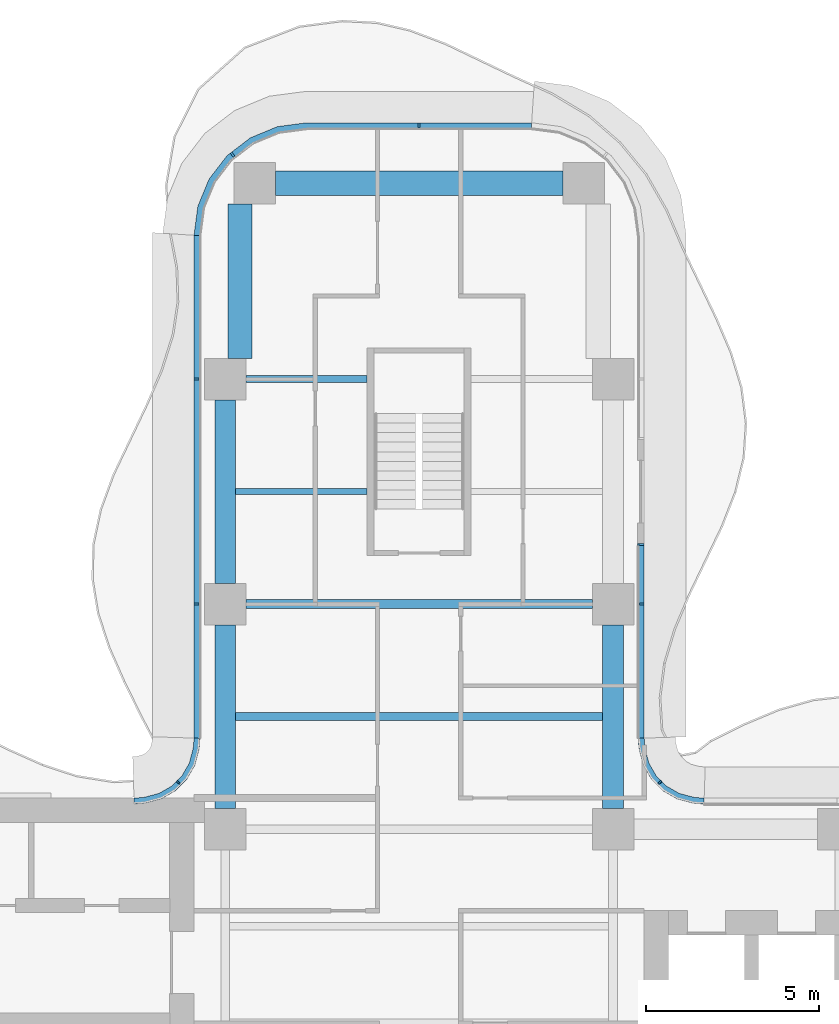
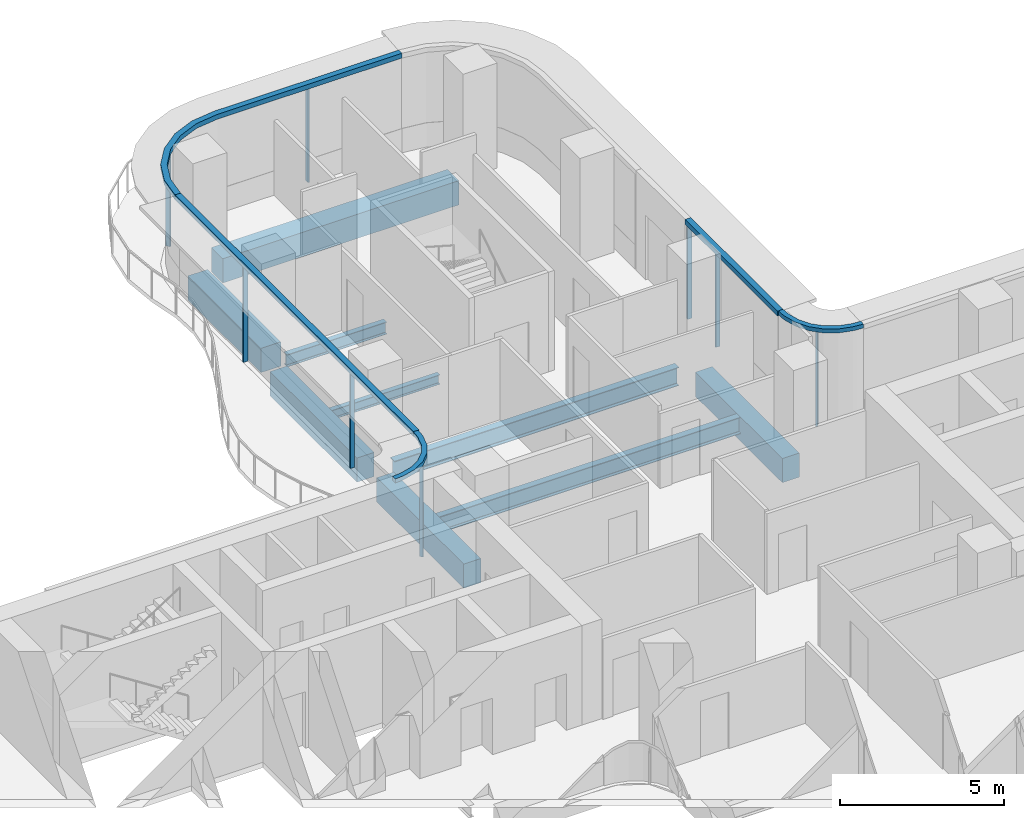
# One storey, part 7 of 17: 13 members, 9 beams, 5 elements without a shape of their own.
"""IFC4 building model written with IfcOpenShell, lengths in metres."""

from ifc_helpers import new_model, si_unit, direction, frame, origin, origin_2d, place, context, subcontext, project, spatial, polyline, rectangle, i_section, outline, extrude, source, transform, mapped, material, layer, layer_set, material_profile, profile_set, type_object, element, aggregate, save


model = new_model("IFC4")

# Units and contexts
model_context = context("Model", 3, precision=1e-05, world=origin(), true_north=direction((0.0, 1.0)))
body_context = subcontext(model_context, "Body", "Model", "MODEL_VIEW")
ifc_project = project(units=[si_unit("LENGTHUNIT", "METRE"), si_unit("AREAUNIT", "SQUARE_METRE"), si_unit("VOLUMEUNIT", "CUBIC_METRE"), si_unit("PLANEANGLEUNIT", "RADIAN"), si_unit("MASSUNIT", "GRAM", prefix="KILO")], contexts=[model_context])

# Site, building, storey
site_placement = place(None, origin())
site = spatial("IfcSite", under=ifc_project, at=site_placement, CompositionType="ELEMENT")
building_placement = place(site_placement, origin())
building = spatial("IfcBuilding", under=site, at=building_placement, Name="Trellis Farm Tower", CompositionType="ELEMENT")
storey_placement = place(building_placement, frame((0.0, 0.0, 173.699951171875)))
storey = spatial("IfcBuildingStorey", under=building, at=storey_placement, Name="L37", CompositionType="ELEMENT", Elevation=173.699951171875)

# Beams
ifc_material_1 = material(Name="Steel S355", Category="steel")
ifc_material_profile_1 = material_profile(ifc_material_1, i_section(OverallWidth=0.1904296875, OverallDepth=0.45703125, WebThickness=0.009033203125, FlangeThickness=0.014404296875, FilletRadius=0.01025390625, at=origin_2d()), Name="UB 457x191x74")
ifc_profile_set_1 = profile_set([ifc_material_profile_1], Name="Steel S355")
beam_type_1 = type_object("IfcBeamType", Name="UB 457x191x74", PredefinedType="BEAM", material=ifc_profile_set_1)
shared_shape_1 = source(origin(), body_context, "Body", "SweptSolid", [
    extrude(i_section(OverallWidth=0.1904296875, OverallDepth=0.45703125, WebThickness=0.009033203125, FlangeThickness=0.014404296875, FilletRadius=0.01025390625, at=origin_2d()), origin(), (0.0, 0.0, 1.0), 3.5),
])
beam_1_placement = place(storey_placement, frame((-5.0, 18.60009765625, -0.428466796875), z_axis=(1.0, 0.0, 0.0), x_axis=(0.0, 1.0, 0.0)))
element("IfcBeam", 1, at=beam_1_placement, inside=storey, type_object=beam_type_1, Name="Girder", PredefinedType="BEAM", context=body_context, shape_type="MappedRepresentation", body=[
    mapped(shared_shape_1, transform((0.0, 0.0, 0.0))),
])
ifc_material_2 = material(Name="Concrete C60/75", Category="concrete")
ifc_material_profile_2 = material_profile(ifc_material_2, rectangle(XDim=0.60009765625, YDim=0.89990234375, at=origin_2d()), Name="RC spandrel beam 600x900 C60/75")
ifc_profile_set_2 = profile_set([ifc_material_profile_2], Name="Concrete C60/75")
beam_type_2 = type_object("IfcBeamType", Name="RC spandrel beam 600x900 C60/75", PredefinedType="SPANDREL", material=ifc_profile_set_2)
shared_shape_2 = source(origin(), body_context, "Body", "SweptSolid", [
    extrude(rectangle(XDim=0.60009765625, YDim=0.89990234375, at=origin_2d()), origin(), (0.0, 0.0, 1.0), 5.300048828125),
])
for number, where, z_axis, x_axis, name in (
    (2, (-5.60009765625, 6.199951171875, -0.64990234375), (0.0, 1.0, 0.0), (-1.0, 0.0, 0.0), "Girder"),
    (3, (-5.60009765625, 12.699951171875, -0.64990234375), (0.0, 1.0, 0.0), (-1.0, 0.0, 0.0), "Girder"),
    (4, (5.60009765625, 6.199951171875, -0.64990234375), (0.0, 1.0, 0.0), (-1.0, 0.0, 0.0), "Girder"),
):
    element("IfcBeam", number, at=place(storey_placement, frame(where, z_axis=z_axis, x_axis=x_axis)), inside=storey, type_object=beam_type_2, Name=name, PredefinedType="SPANDREL", context=body_context, shape_type="MappedRepresentation", body=[
        mapped(shared_shape_2, transform((0.0, 0.0, 0.0))),
    ])
ifc_material_profile_3 = material_profile(ifc_material_1, i_section(OverallWidth=0.253662109375, OverallDepth=0.68359375, WebThickness=0.012451171875, FlangeThickness=0.021728515625, FilletRadius=0.01513671875, at=origin_2d()), Name="UB 686x254x140")
ifc_profile_set_3 = profile_set([ifc_material_profile_3], Name="Steel S355")
beam_type_3 = type_object("IfcBeamType", Name="UB 686x254x140", PredefinedType="BEAM", material=ifc_profile_set_3)
shared_shape_3 = source(origin(), body_context, "Body", "SweptSolid", [
    extrude(i_section(OverallWidth=0.253662109375, OverallDepth=0.68359375, WebThickness=0.012451171875, FlangeThickness=0.021728515625, FilletRadius=0.01513671875, at=origin_2d()), origin(), (0.0, 0.0, 1.0), 10.0),
])
beam_2_placement = place(storey_placement, frame((-5.0, 12.10009765625, -0.541748046875), z_axis=(1.0, 0.0, 0.0), x_axis=(0.0, 1.0, 0.0)))
element("IfcBeam", 5, at=beam_2_placement, inside=storey, type_object=beam_type_3, Name="Girder", PredefinedType="BEAM", context=body_context, shape_type="MappedRepresentation", body=[
    mapped(shared_shape_3, transform((0.0, 0.0, 0.0))),
])
ifc_material_profile_4 = material_profile(ifc_material_2, rectangle(XDim=0.699951171875, YDim=0.89990234375, at=origin_2d()), Name="RC spandrel beam 700x900 C60/75")
ifc_profile_set_4 = profile_set([ifc_material_profile_4], Name="Concrete C60/75")
beam_type_4 = type_object("IfcBeamType", Name="RC spandrel beam 700x900 C60/75", PredefinedType="SPANDREL", material=ifc_profile_set_4)
shared_shape_4 = source(origin(), body_context, "Body", "SweptSolid", [
    extrude(rectangle(XDim=0.699951171875, YDim=0.89990234375, at=origin_2d()), origin(), (0.0, 0.0, 1.0), 8.2998046875),
])
beam_3_placement = place(storey_placement, frame((-4.14990234375, 24.25, -0.64990234375), z_axis=(1.0, 0.0, 0.0), x_axis=(0.0, 1.0, 0.0)))
element("IfcBeam", 6, at=beam_3_placement, inside=storey, type_object=beam_type_4, Name="Girder", PredefinedType="SPANDREL", context=body_context, shape_type="MappedRepresentation", body=[
    mapped(shared_shape_4, transform((0.0, 0.0, 0.0))),
])
shared_shape_5 = source(origin(), body_context, "Body", "SweptSolid", [
    extrude(rectangle(XDim=0.699951171875, YDim=0.89990234375, at=origin_2d()), origin(), (0.0, 0.0, 1.0), 4.449951171875),
])
beam_4_placement = place(storey_placement, frame((-5.175048828125, 19.199951171875, -0.64990234375), z_axis=(0.0, 1.0, 0.0), x_axis=(-1.0, 0.0, 0.0)))
element("IfcBeam", 7, at=beam_4_placement, inside=storey, type_object=beam_type_4, Name="Girder", PredefinedType="SPANDREL", context=body_context, shape_type="MappedRepresentation", body=[
    mapped(shared_shape_5, transform((0.0, 0.0, 0.0))),
])
ifc_material_profile_5 = material_profile(ifc_material_1, i_section(OverallWidth=0.17138671875, OverallDepth=0.35498046875, WebThickness=0.00732421875, FlangeThickness=0.011474609375, FilletRadius=0.01025390625, at=origin_2d()), Name="UB 356x171x51")
ifc_profile_set_5 = profile_set([ifc_material_profile_5], Name="Steel S355")
beam_type_5 = type_object("IfcBeamType", Name="UB 356x171x51 joist", PredefinedType="JOIST", material=ifc_profile_set_5)
shared_shape_6 = source(origin(), body_context, "Body", "SweptSolid", [
    extrude(i_section(OverallWidth=0.17138671875, OverallDepth=0.35498046875, WebThickness=0.00732421875, FlangeThickness=0.011474609375, FilletRadius=0.01025390625, at=origin_2d()), origin(), (0.0, 0.0, 1.0), 3.800048828125),
])
beam_5_placement = place(storey_placement, frame((-5.300048828125, 15.35009765625, -0.37744140625), z_axis=(1.0, 0.0, 0.0), x_axis=(0.0, 1.0, 0.0)))
element("IfcBeam", 8, at=beam_5_placement, inside=storey, type_object=beam_type_5, Name="Floor beam", PredefinedType="JOIST", context=body_context, shape_type="MappedRepresentation", body=[
    mapped(shared_shape_6, transform((0.0, 0.0, 0.0))),
])
ifc_material_profile_6 = material_profile(ifc_material_1, i_section(OverallWidth=0.22900390625, OverallDepth=0.6123046875, WebThickness=0.011962890625, FlangeThickness=0.01953125, FilletRadius=0.0126953125, at=origin_2d()), Name="UB 610x229x125")
ifc_profile_set_6 = profile_set([ifc_material_profile_6], Name="Steel S355")
beam_type_6 = type_object("IfcBeamType", Name="UB 610x229x125 joist", PredefinedType="JOIST", material=ifc_profile_set_6)
shared_shape_7 = source(origin(), body_context, "Body", "SweptSolid", [
    extrude(i_section(OverallWidth=0.22900390625, OverallDepth=0.6123046875, WebThickness=0.011962890625, FlangeThickness=0.01953125, FilletRadius=0.0126953125, at=origin_2d()), origin(), (0.0, 0.0, 1.0), 10.60009765625),
])
beam_6_placement = place(storey_placement, frame((-5.300048828125, 8.85009765625, -0.506103515625), z_axis=(1.0, 0.0, 0.0), x_axis=(0.0, 1.0, 0.0)))
element("IfcBeam", 9, at=beam_6_placement, inside=storey, type_object=beam_type_6, Name="Floor beam", PredefinedType="JOIST", context=body_context, shape_type="MappedRepresentation", body=[
    mapped(shared_shape_7, transform((0.0, 0.0, 0.0))),
])

# Curtain wall, member
ifc_material_3 = material(Name="Aluminium and glass curtain wall", Category="aluminium")
ifc_layer_1 = layer(ifc_material_3, 0.166015625)
ifc_layer_set_1 = layer_set([ifc_layer_1], Name="WINTER GARDEN CURTAIN WALL CW3")
curtain_wall_type_1 = type_object("IfcCurtainWallType", Name="WINTER GARDEN CURTAIN WALL CW3", PredefinedType="NOTDEFINED", material=ifc_layer_set_1)
placement_1 = place(storey_placement, origin())
curtain_wall_1 = element("IfcCurtainWall", 10, at=placement_1, inside=storey, type_object=curtain_wall_type_1, Name="CW3 003", PredefinedType="NOTDEFINED")
ifc_material_4 = material(Name="Aluminium extrusion 6063-T6", Category="aluminium")
ifc_layer_2 = layer(ifc_material_4, 0.169921875)
ifc_layer_set_2 = layer_set([ifc_layer_2], Name="Aluminium extrusion 6063-T6")
member_type_1 = type_object("IfcMemberType", Name="CW3 TRANSOM 170x150", PredefinedType="USERDEFINED", material=ifc_layer_set_2)
shared_shape_8 = source(origin(), body_context, "Body", "SweptSolid", [
    extrude(outline(polyline([(8.2314453125, 6.5), (8.01953125, 6.513916015625), (7.91552734375, 6.527587890625), (7.508544921875, 6.63671875), (7.144287109375, 6.846923828125), (6.846923828125, 7.144287109375), (6.63671875, 7.508544921875), (6.527587890625, 7.91552734375), (6.513916015625, 8.01953125), (6.5, 8.2314453125), (6.330078125, 8.225830078125), (6.3447265625, 8.0029296875), (6.360595703125, 7.88232421875), (6.478271484375, 7.44287109375), (6.7109375, 7.0400390625), (7.0400390625, 6.7109375), (7.44287109375, 6.478271484375), (7.88232421875, 6.360595703125), (8.0029296875, 6.3447265625), (8.225830078125, 6.330078125), (8.2314453125, 6.5)])), origin(), (0.0, 0.0, 1.0), 0.14990234375),
])
placement_2 = place(storey_placement, frame((0.0, 0.0, 3.550048828125)))
member_1 = element("IfcMember", 11, at=placement_2, type_object=member_type_1, Name="TR3 003", ObjectType="TRANSOM", PredefinedType="USERDEFINED", context=body_context, shape_type="MappedRepresentation", body=[
    mapped(shared_shape_8, transform((0.0, 0.0, 0.0))),
])

curtain_wall_2 = element("IfcCurtainWall", 12, at=placement_1, inside=storey, type_object=curtain_wall_type_1, Name="CW3 004", PredefinedType="NOTDEFINED")
shared_shape_9 = source(origin(), body_context, "Body", "SweptSolid", [
    extrude(outline(polyline([(-6.5, 8.2314453125), (-6.513916015625, 8.01953125), (-6.527587890625, 7.91552734375), (-6.63671875, 7.508544921875), (-6.846923828125, 7.144287109375), (-7.144287109375, 6.846923828125), (-7.508544921875, 6.63671875), (-7.91552734375, 6.527587890625), (-8.01953125, 6.513916015625), (-8.2314453125, 6.5), (-8.225830078125, 6.330078125), (-8.0029296875, 6.3447265625), (-7.88232421875, 6.360595703125), (-7.44287109375, 6.478271484375), (-7.0400390625, 6.7109375), (-6.7109375, 7.0400390625), (-6.478271484375, 7.44287109375), (-6.360595703125, 7.88232421875), (-6.3447265625, 8.0029296875), (-6.330078125, 8.225830078125), (-6.5, 8.2314453125)])), origin(), (0.0, 0.0, 1.0), 0.14990234375),
])
member_2 = element("IfcMember", 13, at=placement_2, type_object=member_type_1, Name="TR3 004", ObjectType="TRANSOM", PredefinedType="USERDEFINED", context=body_context, shape_type="MappedRepresentation", body=[
    mapped(shared_shape_9, transform((0.0, 0.0, 0.0))),
])

ifc_layer_3 = layer(ifc_material_3, 0.18994140625)
ifc_layer_set_3 = layer_set([ifc_layer_3], Name="RIBBON CURTAIN WALL CW1")
curtain_wall_type_2 = type_object("IfcCurtainWallType", Name="RIBBON CURTAIN WALL CW1", PredefinedType="NOTDEFINED", material=ifc_layer_set_3)
curtain_wall_3 = element("IfcCurtainWall", 14, at=placement_1, inside=storey, type_object=curtain_wall_type_2, Name="CW1 011", PredefinedType="NOTDEFINED")
ifc_layer_4 = layer(ifc_material_4, 0.199951171875)
ifc_layer_set_4 = layer_set([ifc_layer_4], Name="Aluminium extrusion 6063-T6")
member_type_2 = type_object("IfcMemberType", Name="CW1 TRANSOM 200x180", PredefinedType="USERDEFINED", material=ifc_layer_set_4)
shared_shape_10 = source(origin(), body_context, "Body", "SweptSolid", [
    extrude(outline(polyline([(-6.5, 22.75), (-6.5, 8.2314453125), (-6.300048828125, 8.224853515625), (-6.300048828125, 22.73681640625), (-6.5, 22.75)])), origin(), (0.0, 0.0, 1.0), 0.179931640625),
])
placement_3 = place(storey_placement, frame((0.0, 0.0, 3.52001953125)))
member_3 = element("IfcMember", 15, at=placement_3, type_object=member_type_2, Name="TR1 011", ObjectType="TRANSOM", PredefinedType="USERDEFINED", context=body_context, shape_type="MappedRepresentation", body=[
    mapped(shared_shape_10, transform((0.0, 0.0, 0.0))),
])

curtain_wall_4 = element("IfcCurtainWall", 16, at=placement_1, inside=storey, type_object=curtain_wall_type_2, Name="CW1 010", PredefinedType="NOTDEFINED")
shared_shape_11 = source(origin(), body_context, "Body", "SweptSolid", [
    extrude(outline(polyline([(3.25, 26.0), (-3.25, 26.0), (-4.091064453125, 25.88916015625), (-4.875, 25.564697265625), (-5.548095703125, 25.048095703125), (-6.064697265625, 24.375), (-6.38916015625, 23.591064453125), (-6.5, 22.75), (-6.300048828125, 22.73681640625), (-6.1943359375, 23.5390625), (-5.889892578125, 24.274169921875), (-5.405517578125, 24.905517578125), (-4.774169921875, 25.389892578125), (-4.0390625, 25.6943359375), (-3.23681640625, 25.800048828125), (3.23681640625, 25.800048828125), (3.25, 26.0)])), origin(), (0.0, 0.0, 1.0), 0.179931640625),
])
member_4 = element("IfcMember", 17, at=placement_3, type_object=member_type_2, Name="TR1 010", ObjectType="TRANSOM", PredefinedType="USERDEFINED", context=body_context, shape_type="MappedRepresentation", body=[
    mapped(shared_shape_11, transform((0.0, 0.0, 0.0))),
])

# Curtain wall, members
curtain_wall_5 = element("IfcCurtainWall", 18, at=placement_1, inside=storey, type_object=curtain_wall_type_2, Name="CW1 008", PredefinedType="NOTDEFINED")
ifc_material_profile_7 = material_profile(ifc_material_4, rectangle(XDim=0.06005859375, YDim=0.14990234375, at=origin_2d()), Name="MULLION 60x150")
ifc_profile_set_7 = profile_set([ifc_material_profile_7], Name="Aluminium extrusion 6063-T6")
member_type_3 = type_object("IfcMemberType", Name="CW1 MULLION 60x150", PredefinedType="MULLION", material=ifc_profile_set_7)
shared_shape_12 = source(origin(), body_context, "Body", "SweptSolid", [
    extrude(rectangle(XDim=0.06005859375, YDim=0.14990234375, at=origin_2d()), origin(), (0.0, 0.0, 1.0), 3.52001953125),
])
member_5_placement = place(storey_placement, frame((6.425048828125, 12.10009765625, 0.0), z_axis=(0.0, 0.0, 1.0), x_axis=(0.0, 1.0, 0.0)))
member_5 = element("IfcMember", 19, at=member_5_placement, type_object=member_type_3, Name="MU1 008-01", PredefinedType="MULLION", context=body_context, shape_type="MappedRepresentation", body=[
    mapped(shared_shape_12, transform((0.0, 0.0, 0.0))),
])
member_6_placement = place(storey_placement, frame((6.425048828125, 13.820068359375, 0.0), z_axis=(0.0, 0.0, 1.0), x_axis=(0.0, 1.0, 0.0)))
member_6 = element("IfcMember", 20, at=member_6_placement, type_object=member_type_3, Name="MU1 008-02", PredefinedType="MULLION", context=body_context, shape_type="MappedRepresentation", body=[
    mapped(shared_shape_12, transform((0.0, 0.0, 0.0))),
])

# Member
member_7_placement = place(storey_placement, frame((0.0, 25.925048828125, 0.0), z_axis=(0.0, 0.0, 1.0), x_axis=(-1.0, 0.0, 0.0)))
member_7 = element("IfcMember", 21, at=member_7_placement, type_object=member_type_3, Name="MU1 010-01", PredefinedType="MULLION", context=body_context, shape_type="MappedRepresentation", body=[
    mapped(shared_shape_12, transform((0.0, 0.0, 0.0))),
])

member_8_placement = place(storey_placement, frame((-5.385498046875, 25.078369140625, 0.0), z_axis=(0.0, 0.0, 1.0), x_axis=(-0.793353340291, -0.608761429009, 0.0)))
member_8 = element("IfcMember", 22, at=member_8_placement, type_object=member_type_3, Name="MU1 010-02", PredefinedType="MULLION", context=body_context, shape_type="MappedRepresentation", body=[
    mapped(shared_shape_12, transform((0.0, 0.0, 0.0))),
])

aggregate(curtain_wall_4, [member_7, member_8, member_4])

member_9_placement = place(storey_placement, frame((-6.425048828125, 18.60009765625, 0.0), z_axis=(0.0, 0.0, 1.0), x_axis=(0.0, -1.0, 0.0)))
member_9 = element("IfcMember", 23, at=member_9_placement, type_object=member_type_3, Name="MU1 011-01", PredefinedType="MULLION", context=body_context, shape_type="MappedRepresentation", body=[
    mapped(shared_shape_12, transform((0.0, 0.0, 0.0))),
])

member_10_placement = place(storey_placement, frame((-6.425048828125, 12.10009765625, 0.0), z_axis=(0.0, 0.0, 1.0), x_axis=(0.0, -1.0, 0.0)))
member_10 = element("IfcMember", 24, at=member_10_placement, type_object=member_type_3, Name="MU1 011-02", PredefinedType="MULLION", context=body_context, shape_type="MappedRepresentation", body=[
    mapped(shared_shape_12, transform((0.0, 0.0, 0.0))),
])

aggregate(curtain_wall_3, [member_9, member_10, member_3])

ifc_material_profile_8 = material_profile(ifc_material_4, rectangle(XDim=0.050048828125, YDim=0.1201171875, at=origin_2d()), Name="MULLION 50x120")
ifc_profile_set_8 = profile_set([ifc_material_profile_8], Name="Aluminium extrusion 6063-T6")
member_type_4 = type_object("IfcMemberType", Name="CW3 MULLION 50x120", PredefinedType="MULLION", material=ifc_profile_set_8)
shared_shape_13 = source(origin(), body_context, "Body", "SweptSolid", [
    extrude(rectangle(XDim=0.050048828125, YDim=0.1201171875, at=origin_2d()), origin(), (0.0, 0.0, 1.0), 3.550048828125),
])
member_11_placement = place(storey_placement, frame((6.953125, 6.953125, 0.0), z_axis=(0.0, 0.0, 1.0), x_axis=(-0.707106781187, 0.707106781187, 0.0)))
member_11 = element("IfcMember", 25, at=member_11_placement, type_object=member_type_4, Name="MU3 003-01", PredefinedType="MULLION", context=body_context, shape_type="MappedRepresentation", body=[
    mapped(shared_shape_13, transform((0.0, 0.0, 0.0))),
])

aggregate(curtain_wall_1, [member_11, member_1])

member_12_placement = place(storey_placement, frame((-6.953125, 6.953125, 0.0), z_axis=(0.0, 0.0, 1.0), x_axis=(-0.707106781187, -0.707106781187, 0.0)))
member_12 = element("IfcMember", 26, at=member_12_placement, type_object=member_type_4, Name="MU3 004-01", PredefinedType="MULLION", context=body_context, shape_type="MappedRepresentation", body=[
    mapped(shared_shape_13, transform((0.0, 0.0, 0.0))),
])

aggregate(curtain_wall_2, [member_12, member_2])

shared_shape_14 = source(origin(), body_context, "Body", "SweptSolid", [
    extrude(outline(polyline([(6.5, 8.2314453125), (6.5, 13.85009765625), (6.300048828125, 13.85009765625), (6.300048828125, 8.224853515625), (6.5, 8.2314453125)])), origin(), (0.0, 0.0, 1.0), 0.179931640625),
])
member_13 = element("IfcMember", 27, at=placement_3, type_object=member_type_2, Name="TR1 008", ObjectType="TRANSOM", PredefinedType="USERDEFINED", context=body_context, shape_type="MappedRepresentation", body=[
    mapped(shared_shape_14, transform((0.0, 0.0, 0.0))),
])

aggregate(curtain_wall_5, [member_5, member_6, member_13])

save(model, "model.ifc")
